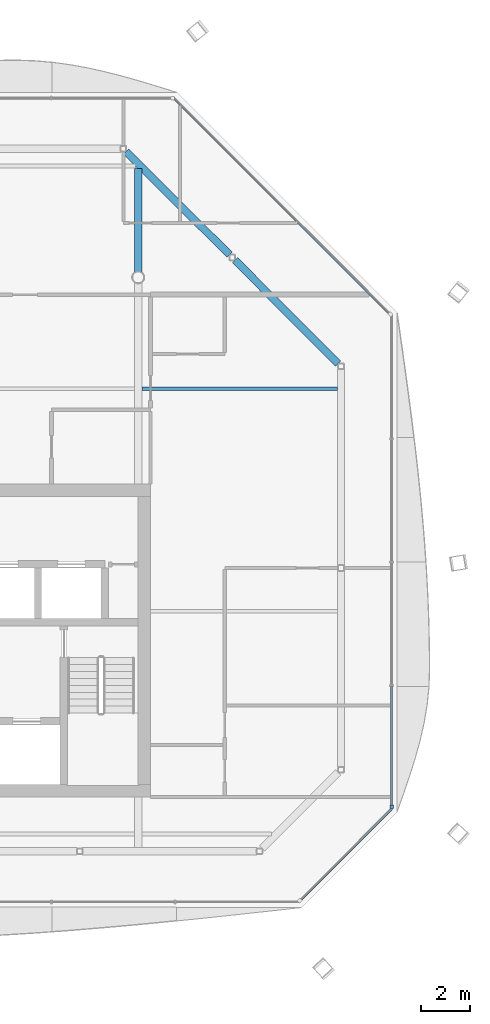
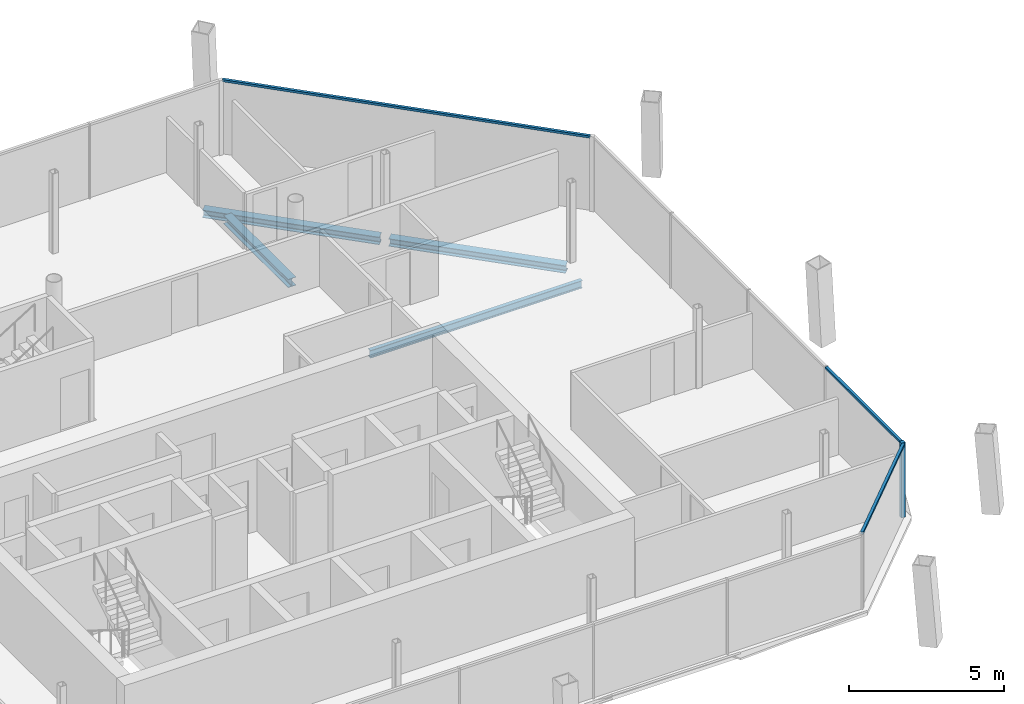
# One storey, part 6 of 14: 4 beams, 4 members, 3 elements without a shape of their own.
"""IFC4 building model written with IfcOpenShell, lengths in metres."""

import ifcopenshell
import ifcopenshell.guid

model = None  # the IFC model being written
_history = None  # IfcOwnerHistory: only IFC2X3 demands one
_inside = {}  # id of a spatial element -> (the spatial element, [elements in it])
_under = {}  # id of a project, library or spatial element -> (it, [spatial elements below it])
_declared = {}  # id of a project -> (the project, [libraries it declares])
_typed = {}  # id of a type object -> (the type object, [elements of that type])
_made_of = {}  # id of a material, layer set ... -> (it, [elements and type objects made of it])


def new_model(schema):
    """Start an empty IFC model of exactly this schema.

    Asked for "IFC4X3", IfcOpenShell would pick the latest addendum, in which some entities
    have other attributes; the version numbers below select the first issue.
    IFC2X3 requires an IfcOwnerHistory on every rooted entity: one is made here for all.
    """
    global model, _history
    if schema == "IFC4X3":
        model = ifcopenshell.file(schema_version=(4, 3, 0, 0))
    else:
        model = ifcopenshell.file(schema=schema)
    _inside.clear()
    _under.clear()
    _declared.clear()
    _typed.clear()
    _made_of.clear()
    _history = None
    if model.schema == "IFC2X3":
        org = make("IfcOrganization", Name="unknown")
        user = make(
            "IfcPersonAndOrganization",
            ThePerson=make("IfcPerson", FamilyName="unknown"),
            TheOrganization=org,
        )
        app = make(
            "IfcApplication",
            ApplicationDeveloper=org,
            Version="unknown",
            ApplicationFullName="unknown",
            ApplicationIdentifier="unknown",
        )
        _history = make(
            "IfcOwnerHistory",
            OwningUser=user,
            OwningApplication=app,
            ChangeAction="ADDED",
            CreationDate=0,
        )
    return model


def make(cls, **values):
    """One entity of the class cls with the attributes given. An attribute that is None is left unset."""
    return model.create_entity(
        cls, **{name: value for name, value in values.items() if value is not None}
    )


def rooted(cls, **values):
    """An entity with a GlobalId (a new one), such as an element, a storey or a relation."""
    return make(cls, GlobalId=ifcopenshell.guid.new(), OwnerHistory=_history, **values)


def si_unit(unit_type, name, prefix=None):
    """IfcSIUnit, for example si_unit("LENGTHUNIT", "METRE", prefix="MILLI")."""
    return make("IfcSIUnit", UnitType=unit_type, Prefix=prefix, Name=name)


def assignment(units):
    """IfcUnitAssignment: the units of a project."""
    return None if units is None else make("IfcUnitAssignment", Units=units)


def point(xyz):
    """IfcCartesianPoint."""
    return None if xyz is None else make("IfcCartesianPoint", Coordinates=xyz)


def direction(xyz):
    """IfcDirection."""
    return None if xyz is None else make("IfcDirection", DirectionRatios=xyz)


def frame(location, z_axis=None, x_axis=None):
    """IfcAxis2Placement3D, a coordinate frame: its origin and axes. An axis left out is left unset."""
    return make(
        "IfcAxis2Placement3D",
        Location=point(location),
        Axis=direction(z_axis),
        RefDirection=direction(x_axis),
    )


def frame_2d(location, x_axis=None):
    """IfcAxis2Placement2D, a coordinate frame in the plane: its origin and x axis."""
    return make(
        "IfcAxis2Placement2D", Location=point(location), RefDirection=direction(x_axis)
    )


def origin():
    """The frame at (0, 0, 0) with its axes left unset."""
    return frame((0.0, 0.0, 0.0))


def origin_2d():
    """The frame at (0, 0) in the plane with its x axis left unset."""
    return frame_2d((0.0, 0.0))


def place(relative_to, where):
    """IfcLocalPlacement: puts the frame where relative to a parent placement (None: the world)."""
    return make(
        "IfcLocalPlacement", PlacementRelTo=relative_to, RelativePlacement=where
    )


def context(
    kind, dimensions, precision=None, world=None, true_north=None, identifier=None
):
    """IfcGeometricRepresentationContext, for example the 3D "Model" context."""
    return make(
        "IfcGeometricRepresentationContext",
        ContextIdentifier=identifier,
        ContextType=kind,
        CoordinateSpaceDimension=dimensions,
        Precision=precision,
        WorldCoordinateSystem=world,
        TrueNorth=true_north,
    )


def subcontext(parent, identifier, kind, view, scale=None):
    """IfcGeometricRepresentationSubContext, for example "Body" below "Model"."""
    return make(
        "IfcGeometricRepresentationSubContext",
        ContextIdentifier=identifier,
        ContextType=kind,
        ParentContext=parent,
        TargetScale=scale,
        TargetView=view,
    )


def project(units=None, contexts=None):
    """IfcProject with its units and contexts."""
    return rooted(
        "IfcProject",
        Name="project",
        RepresentationContexts=contexts,
        UnitsInContext=assignment(units),
    )


def spatial(cls, under=None, at=None, **own):
    """A site, building, storey or space (cls), placed at a placement, below another one or the project."""
    s = rooted(cls, ObjectPlacement=at, **own)
    if under is not None:
        _under.setdefault(under.id(), (under, []))[1].append(s)
    return s


def profile(cls, at=None, kind="AREA", **sizes):
    """A parametric profile (cls). Its sizes go by their IFC names, for example OverallWidth=200.0."""
    return make(cls, ProfileType=kind, Position=at, **sizes)


def rectangle(**sizes):
    """IfcRectangleProfileDef."""
    return profile("IfcRectangleProfileDef", **sizes)


def i_section(**sizes):
    """IfcIShapeProfileDef."""
    return profile("IfcIShapeProfileDef", **sizes)


def extrude(swept, where, along, depth):
    """IfcExtrudedAreaSolid: the profile swept, set in the frame where, extruded along a direction by depth."""
    return make(
        "IfcExtrudedAreaSolid",
        SweptArea=swept,
        Position=where,
        ExtrudedDirection=direction(along),
        Depth=depth,
    )


def shape(context_of_items, identifier, shape_type, items):
    """IfcShapeRepresentation: the items that make up one representation, for example the "Body"."""
    return make(
        "IfcShapeRepresentation",
        ContextOfItems=context_of_items,
        RepresentationIdentifier=identifier,
        RepresentationType=shape_type,
        Items=items,
    )


def material(Name=None, Category=None):
    """IfcMaterial."""
    return make("IfcMaterial", Name=Name, Category=Category)


def material_profile(
    of_material, cross_section, Name=None, Category=None, Priority=None
):
    """IfcMaterialProfile: a cross section and its material."""
    return make(
        "IfcMaterialProfile",
        Name=Name,
        Material=of_material,
        Profile=cross_section,
        Priority=Priority,
        Category=Category,
    )


def profile_set(profiles, Name=None, composite=None):
    """IfcMaterialProfileSet."""
    return make(
        "IfcMaterialProfileSet",
        Name=Name,
        MaterialProfiles=profiles,
        CompositeProfile=composite,
    )


def made_of(thing, what):
    """Note that an element or type object is made of a material, layer set ...; save() writes the relation."""
    if what is not None:
        _made_of.setdefault(what.id(), (what, []))[1].append(thing)
    return thing


def type_object(cls, material=None, **own):
    """A type object (cls), such as IfcWallType, which elements share."""
    return made_of(rooted(cls, **own), material)


def element(
    cls,
    number,
    at=None,
    inside=None,
    cuts=None,
    type_object=None,
    material=None,
    context=None,
    identifier="Body",
    shape_type=None,
    held_by="IfcProductDefinitionShape",
    body=None,
    shapes=None,
    **own,
):
    """One element of the class cls, such as IfcWall. Its Tag is "e" and its number.

    at: its placement. inside: the storey or other place that contains it. cuts: it is an
    opening in that element (IfcRelVoidsElement). A single representation is given by context,
    identifier, shape_type and body (its items); several are given by shapes. held_by: the class
    of the entity that holds the representations. save() writes the other relations.
    """
    e = rooted(cls, Tag="e%d" % number, ObjectPlacement=at, **own)
    if body is not None:
        shapes = [shape(context, identifier, shape_type, body)]
    if shapes is not None:
        e.Representation = make(held_by, Representations=shapes)
    if inside is not None:
        _inside.setdefault(inside.id(), (inside, []))[1].append(e)
    if cuts is not None:
        rooted(
            "IfcRelVoidsElement", RelatingBuildingElement=cuts, RelatedOpeningElement=e
        )
    if type_object is not None:
        _typed.setdefault(type_object.id(), (type_object, []))[1].append(e)
    return made_of(e, material)


def aggregate(whole, parts):
    """IfcRelAggregates: a whole, such as a stair, and the parts it consists of."""
    return rooted("IfcRelAggregates", RelatingObject=whole, RelatedObjects=parts)


def save(model, path):
    """Write the relations noted so far, then the file.

    IfcRelAggregates (storeys below a building ...), IfcRelContainedInSpatialStructure (elements
    in a storey), IfcRelDefinesByType, IfcRelAssociatesMaterial and IfcRelDeclares: one each for
    every whole, place, type object, material and project.
    """
    for whole, parts in _under.values():
        aggregate(whole, parts)
    for where, things in _inside.values():
        rooted(
            "IfcRelContainedInSpatialStructure",
            RelatedElements=things,
            RelatingStructure=where,
        )
    for kind, things in _typed.values():
        rooted("IfcRelDefinesByType", RelatedObjects=things, RelatingType=kind)
    for what, things in _made_of.values():
        rooted("IfcRelAssociatesMaterial", RelatedObjects=things, RelatingMaterial=what)
    for by, libraries in _declared.values():
        rooted("IfcRelDeclares", RelatingContext=by, RelatedDefinitions=libraries)
    model.write(path)


model = new_model("IFC4")

# Units and contexts
model_context = context("Model", 3, precision=1e-05, world=origin(), true_north=direction((0.0, 1.0)))
body_context = subcontext(model_context, "Body", "Model", "MODEL_VIEW")
ifc_project = project(units=[si_unit("LENGTHUNIT", "METRE"), si_unit("AREAUNIT", "SQUARE_METRE"), si_unit("VOLUMEUNIT", "CUBIC_METRE"), si_unit("PLANEANGLEUNIT", "RADIAN"), si_unit("MASSUNIT", "GRAM", prefix="KILO")], contexts=[model_context])

# Site, building, storey
site_placement = place(None, origin())
site = spatial("IfcSite", under=ifc_project, at=site_placement, CompositionType="ELEMENT")
building_placement = place(site_placement, origin())
building = spatial("IfcBuilding", under=site, at=building_placement, Name="Tskaro Facet Tower", CompositionType="ELEMENT")
storey_placement = place(building_placement, frame((0.0, 0.0, 275.25)))
storey = spatial("IfcBuildingStorey", under=building, at=storey_placement, Name="L73", CompositionType="ELEMENT", Elevation=275.25)

# Curtain wall, member
ifc_material_1 = material(Name="Bronze anodised aluminium 6063-T6", Category="aluminium")
curtain_wall_type = type_object("IfcCurtainWallType", Name="Bronze residence curtain wall (FW3)", PredefinedType="NOTDEFINED", material=ifc_material_1)
curtain_wall_1_placement = place(storey_placement, origin())
curtain_wall_1 = element("IfcCurtainWall", 1, at=curtain_wall_1_placement, inside=storey, type_object=curtain_wall_type, Name="FW3 east facet L73", PredefinedType="NOTDEFINED")
ifc_material_profile_1 = material_profile(ifc_material_1, rectangle(XDim=0.139892578125, YDim=0.139892578125, at=origin_2d()), Name="Corner post 140x140")
ifc_profile_set_1 = profile_set([ifc_material_profile_1], Name="Bronze anodised aluminium 6063-T6")
member_type_1 = type_object("IfcMemberType", Name="FW3 bronze corner post 140x140", PredefinedType="MULLION", material=ifc_profile_set_1)
member_1_placement = place(storey_placement, frame((19.24609375, -12.408935546875, 0.0), z_axis=(0.0, 0.0, 1.0), x_axis=(0.0, 1.0, 0.0)))
member_1 = element("IfcMember", 2, at=member_1_placement, type_object=member_type_1, Name="FW3 east corner post", PredefinedType="MULLION", context=body_context, shape_type="SweptSolid", body=[
    extrude(rectangle(XDim=0.139892578125, YDim=0.139892578125, at=origin_2d()), origin(), (0.0, 0.0, 1.0), 2.949951171875),
])

curtain_wall_2_placement = place(storey_placement, origin())
curtain_wall_2 = element("IfcCurtainWall", 3, at=curtain_wall_2_placement, inside=storey, type_object=curtain_wall_type, Name="FW3 south-east facet L73", PredefinedType="NOTDEFINED")
ifc_material_profile_2 = material_profile(ifc_material_1, rectangle(XDim=0.10009765625, YDim=0.090087890625, at=origin_2d()), Name="Transom 100x90")
ifc_profile_set_2 = profile_set([ifc_material_profile_2], Name="Bronze anodised aluminium 6063-T6")
member_type_2 = type_object("IfcMemberType", Name="FW3 bronze transom 100x90", PredefinedType="USERDEFINED", material=ifc_profile_set_2)
member_2_placement = place(storey_placement, frame((15.577880859375, -16.14697265625, 2.905029296875), z_axis=(0.707130312586, 0.707083249004, 0.0), x_axis=(-0.707083249004, 0.707130312586, 0.0)))
member_2 = element("IfcMember", 4, at=member_2_placement, type_object=member_type_2, Name="FW3 south-east transom 1.1", ObjectType="TRANSOM", PredefinedType="USERDEFINED", context=body_context, shape_type="SweptSolid", body=[
    extrude(rectangle(XDim=0.10009765625, YDim=0.090087890625, at=origin_2d()), origin(), (0.0, 0.0, 1.0), 5.1875),
])
aggregate(curtain_wall_2, [member_2])

# Member
member_3_placement = place(storey_placement, frame((19.24609375, -12.339111328125, 2.905029296875), z_axis=(0.0, 1.0, 0.0), x_axis=(-1.0, 0.0, 0.0)))
member_3 = element("IfcMember", 5, at=member_3_placement, type_object=member_type_2, Name="FW3 east transom 1.1", ObjectType="TRANSOM", PredefinedType="USERDEFINED", context=body_context, shape_type="SweptSolid", body=[
    extrude(rectangle(XDim=0.10009765625, YDim=0.090087890625, at=origin_2d()), origin(), (0.0, 0.0, 1.0), 4.819091796875),
])

aggregate(curtain_wall_1, [member_1, member_3])

# Curtain wall, member
curtain_wall_3_placement = place(storey_placement, origin())
curtain_wall_3 = element("IfcCurtainWall", 6, at=curtain_wall_3_placement, inside=storey, type_object=curtain_wall_type, Name="FW3 north-east facet L73", PredefinedType="NOTDEFINED")
member_4_placement = place(storey_placement, frame((19.14697265625, 7.555908203125, 2.905029296875), z_axis=(-0.707096848307, 0.707116713926, 0.0), x_axis=(-0.707116713926, -0.707096848307, 0.0)))
member_4 = element("IfcMember", 7, at=member_4_placement, type_object=member_type_2, Name="FW3 north-east transom 1.1", ObjectType="TRANSOM", PredefinedType="USERDEFINED", context=body_context, shape_type="SweptSolid", body=[
    extrude(rectangle(XDim=0.10009765625, YDim=0.090087890625, at=origin_2d()), origin(), (0.0, 0.0, 1.0), 12.28955078125),
])
aggregate(curtain_wall_3, [member_4])

# Beams
ifc_material_2 = material(Name="Steel S355J2", Category="steel")
ifc_material_profile_3 = material_profile(ifc_material_2, i_section(OverallWidth=0.300048828125, OverallDepth=0.300048828125, WebThickness=0.010986328125, FlangeThickness=0.01904296875, FilletRadius=0.027099609375, at=origin_2d()), Name="HE 300 B")
ifc_profile_set_3 = profile_set([ifc_material_profile_3], Name="Steel S355J2")
beam_type_1 = type_object("IfcBeamType", Name="HE 300 B ring beam", PredefinedType="BEAM", material=ifc_profile_set_3)
for number, where, z_axis, x_axis, name in (
    (8, (17.089111328125, 5.513916015625, -0.2900390625), (-0.707024112481, 0.707189440228, 0.0), (-0.707189440228, -0.707024112481, 0.0), "HE 300 B EB7-6"),
    (9, (12.691162109375, 9.912841796875, -0.2900390625), (-0.707189440228, 0.707024112481, 0.0), (-0.707024112481, -0.707189440228, 0.0), "HE 300 B EB8-6"),
):
    element("IfcBeam", number, at=place(storey_placement, frame(where, z_axis=z_axis, x_axis=x_axis)), inside=storey, type_object=beam_type_1, Name=name, PredefinedType="BEAM", context=body_context, shape_type="SweptSolid", body=[
        extrude(i_section(OverallWidth=0.300048828125, OverallDepth=0.300048828125, WebThickness=0.010986328125, FlangeThickness=0.01904296875, FilletRadius=0.027099609375, at=origin_2d()), origin(), (0.0, 0.0, 1.0), 5.90673828125),
    ])
ifc_material_profile_4 = material_profile(ifc_material_2, i_section(OverallWidth=0.300048828125, OverallDepth=0.330078125, WebThickness=0.009521484375, FlangeThickness=0.0166015625, FilletRadius=0.027099609375, at=origin_2d()), Name="HE 340 A")
ifc_profile_set_4 = profile_set([ifc_material_profile_4], Name="Steel S355J2")
beam_type_2 = type_object("IfcBeamType", Name="HE 340 A girder", PredefinedType="BEAM", material=ifc_profile_set_4)
beam_1_placement = place(storey_placement, frame((9.0, 9.22412109375, -0.304931640625), z_axis=(0.0, 1.0, 0.0), x_axis=(-1.0, 0.0, 0.0)))
element("IfcBeam", 10, at=beam_1_placement, inside=storey, type_object=beam_type_2, Name="HE 340 A GB5-3-6", PredefinedType="BEAM", context=body_context, shape_type="SweptSolid", body=[
    extrude(i_section(OverallWidth=0.300048828125, OverallDepth=0.330078125, WebThickness=0.009521484375, FlangeThickness=0.0166015625, FilletRadius=0.027099609375, at=origin_2d()), origin(), (0.0, 0.0, 1.0), 4.1669921875),
])
ifc_material_profile_5 = material_profile(ifc_material_2, i_section(OverallWidth=0.14990234375, OverallDepth=0.300048828125, WebThickness=0.007080078125, FlangeThickness=0.0107421875, FilletRadius=0.014892578125, at=origin_2d()), Name="IPE 300")
ifc_profile_set_5 = profile_set([ifc_material_profile_5], Name="Steel S355J2")
beam_type_3 = type_object("IfcBeamType", Name="IPE 300 secondary beam", PredefinedType="BEAM", material=ifc_profile_set_5)
beam_2_placement = place(storey_placement, frame((9.14990234375, 4.5, -0.2900390625), z_axis=(1.0, 0.0, 0.0), x_axis=(0.0, 1.0, 0.0)))
element("IfcBeam", 11, at=beam_2_placement, inside=storey, type_object=beam_type_3, Name="IPE 300 SB4a-3-6", PredefinedType="BEAM", context=body_context, shape_type="SweptSolid", body=[
    extrude(i_section(OverallWidth=0.14990234375, OverallDepth=0.300048828125, WebThickness=0.007080078125, FlangeThickness=0.0107421875, FilletRadius=0.014892578125, at=origin_2d()), origin(), (0.0, 0.0, 1.0), 7.900146484375),
])

save(model, "model.ifc")
